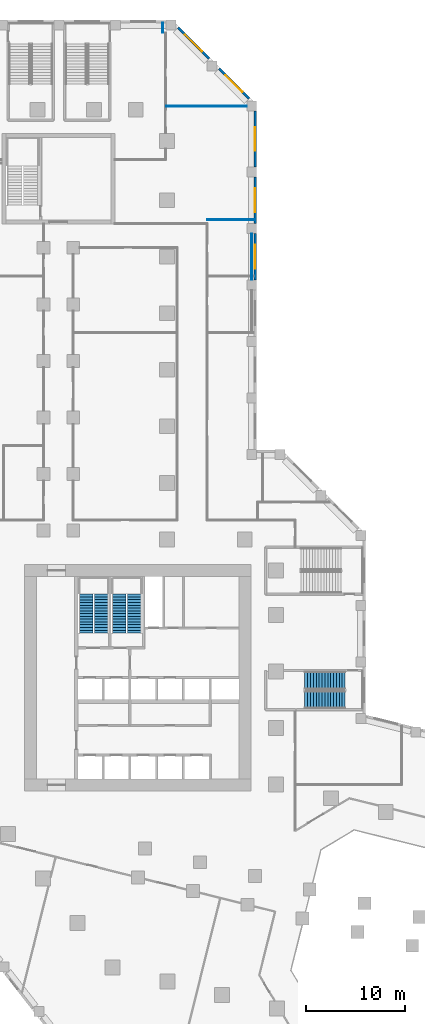
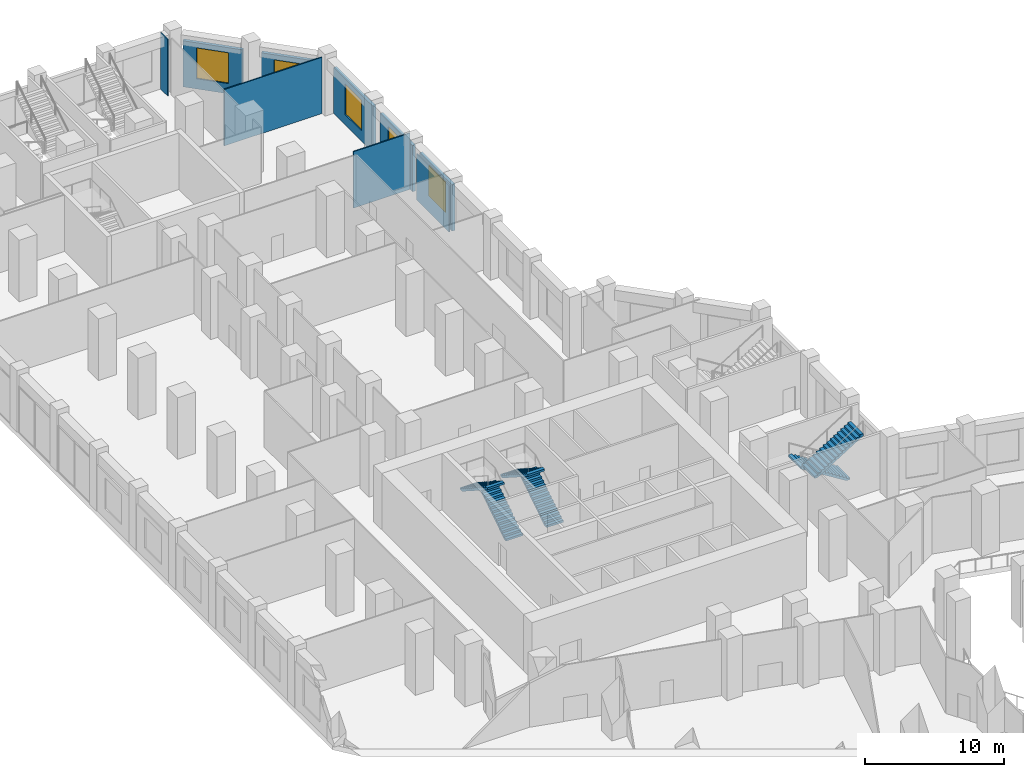
# One storey, part 17 of 23: 9 walls, 6 stair flights, 5 windows, 5 openings, 3 elements without a shape of their own.
"""IFC4 building model written with IfcOpenShell, lengths in metres."""

from ifc_helpers import new_model, si_unit, direction, frame, frame_2d, origin, place, context, subcontext, project, spatial, polyline, rectangle, outline, extrude, material, layer, layer_set, type_object, element, fill, aggregate, save


model = new_model("IFC4")

# Units and contexts
model_context = context("Model", 3, precision=1e-05, world=origin(), true_north=direction((0.0, 1.0)))
body_context = subcontext(model_context, "Body", "Model", "MODEL_VIEW")
ifc_project = project(units=[si_unit("LENGTHUNIT", "METRE"), si_unit("AREAUNIT", "SQUARE_METRE"), si_unit("VOLUMEUNIT", "CUBIC_METRE"), si_unit("PLANEANGLEUNIT", "RADIAN"), si_unit("MASSUNIT", "GRAM", prefix="KILO")], contexts=[model_context])

# Site, building, storey
site_placement = place(None, origin())
site = spatial("IfcSite", under=ifc_project, at=site_placement, CompositionType="ELEMENT")
building_placement = place(site_placement, origin())
building = spatial("IfcBuilding", under=site, at=building_placement, Name="Meshkara Civic Tower", CompositionType="ELEMENT")
storey_placement = place(building_placement, frame((0.0, 0.0, 7.199951171875)))
storey = spatial("IfcBuildingStorey", under=building, at=storey_placement, Name="L01", CompositionType="ELEMENT", Elevation=7.199951171875)

# Wall
ifc_material_1 = material(Name="Corridor wall 100")
ifc_layer_1 = layer(ifc_material_1, 0.10009765625)
ifc_layer_set_1 = layer_set([ifc_layer_1], Name="Corridor wall 100")
wall_type_1 = type_object("IfcWallType", Name="Corridor wall 100", PredefinedType="PARTITIONING", material=ifc_layer_set_1)
wall_1_placement = place(storey_placement, frame((21.89990234375, 90.52001953125, 0.0), z_axis=(0.0, 0.0, 1.0), x_axis=(0.0, 1.0, 0.0)))
element("IfcWall", 1, at=wall_1_placement, inside=storey, type_object=wall_type_1, Name="L01-R029", PredefinedType="PARTITIONING", context=body_context, shape_type="SweptSolid", body=[
    extrude(rectangle(XDim=1.0, YDim=0.10009765625, at=frame_2d((0.5, 0.0))), origin(), (0.0, 0.0, 1.0), 4.949951171875),
])

# Wall, opening, window
ifc_material_2 = material(Name="Stone cladding on insulated backing wall", Category="masonry")
ifc_layer_2 = layer(ifc_material_2, 0.25)
ifc_layer_set_2 = layer_set([ifc_layer_2], Name="PODIUM STONE WALL 250")
wall_type_2 = type_object("IfcWallType", Name="PODIUM STONE WALL 250", PredefinedType="SOLIDWALL", material=ifc_layer_set_2)
wall_2_placement = place(storey_placement, frame((30.6298828125, 83.885986328125, 0.0), z_axis=(0.0, 0.0, 1.0), x_axis=(-0.707078301545, 0.707135259681, 0.0)))
wall_2 = element("IfcWall", 2, at=wall_2_placement, inside=storey, type_object=wall_type_2, Name="Podium external wall", PredefinedType="SOLIDWALL", context=body_context, shape_type="SweptSolid", body=[
    extrude(rectangle(XDim=4.286376953125, YDim=0.25, at=frame_2d((2.14306640625, 0.0))), origin(), (0.0, 0.0, 1.0), 4.050048828125),
])
opening_1_placement = place(wall_2_placement, frame((0.943115234375, 0.0, 0.89990234375)))
opening_1 = element("IfcOpeningElement", 3, at=opening_1_placement, cuts=wall_2, Name="Opening PW4", PredefinedType="OPENING", context=body_context, shape_type="SweptSolid", body=[
    extrude(rectangle(XDim=2.39990234375, YDim=2.699951171875, at=frame_2d((1.199951171875, 1.35009765625))), frame((0.0, 0.135009765625, 0.0), z_axis=(0.0, -1.0, 0.0), x_axis=(1.0, 0.0, 0.0)), (0.0, 0.0, 1.0), 0.27001953125),
])
ifc_material_3 = material(Name="Tinted double glazing", Category="glass")
window_type = type_object("IfcWindowType", Name="PODIUM WINDOW 2400x2700", PartitioningType="DOUBLE_PANEL_VERTICAL", PredefinedType="WINDOW", material=ifc_material_3)
window_1_placement = place(opening_1_placement, origin())
window_1 = element("IfcWindow", 4, at=window_1_placement, inside=storey, type_object=window_type, Name="Podium window", OverallHeight=2.699951171875, OverallWidth=2.39990234375, PartitioningType="DOUBLE_PANEL_VERTICAL", PredefinedType="WINDOW", context=body_context, shape_type="SweptSolid", body=[
    extrude(rectangle(XDim=2.39990234375, YDim=2.699951171875, at=frame_2d((1.199951171875, 1.35009765625))), frame((0.0, 0.030029296875, 0.0), z_axis=(0.0, -1.0, 0.0), x_axis=(1.0, 0.0, 0.0)), (0.0, 0.0, 1.0), 0.06005859375),
])
fill(opening_1, window_1)

wall_3_placement = place(storey_placement, frame((26.59912109375, 87.9169921875, 0.0), z_axis=(0.0, 0.0, 1.0), x_axis=(-0.707106781187, 0.707106781187, 0.0)))
wall_3 = element("IfcWall", 5, at=wall_3_placement, inside=storey, type_object=wall_type_2, Name="Podium external wall", PredefinedType="SOLIDWALL", context=body_context, shape_type="SweptSolid", body=[
    extrude(rectangle(XDim=4.430908203125, YDim=0.25, at=frame_2d((2.21533203125, 0.0))), origin(), (0.0, 0.0, 1.0), 4.050048828125),
])
opening_2_placement = place(wall_3_placement, frame((1.014892578125, 0.0, 0.89990234375)))
opening_2 = element("IfcOpeningElement", 6, at=opening_2_placement, cuts=wall_3, Name="Opening PW4", PredefinedType="OPENING", context=body_context, shape_type="SweptSolid", body=[
    extrude(rectangle(XDim=2.39990234375, YDim=2.699951171875, at=frame_2d((1.199951171875, 1.35009765625))), frame((0.0, 0.135009765625, 0.0), z_axis=(0.0, -1.0, 0.0), x_axis=(1.0, 0.0, 0.0)), (0.0, 0.0, 1.0), 0.27001953125),
])
window_2_placement = place(opening_2_placement, origin())
window_2 = element("IfcWindow", 7, at=window_2_placement, inside=storey, type_object=window_type, Name="Podium window", OverallHeight=2.699951171875, OverallWidth=2.39990234375, PartitioningType="DOUBLE_PANEL_VERTICAL", PredefinedType="WINDOW", context=body_context, shape_type="SweptSolid", body=[
    extrude(rectangle(XDim=2.39990234375, YDim=2.699951171875, at=frame_2d((1.199951171875, 1.35009765625))), frame((0.0, 0.030029296875, 0.0), z_axis=(0.0, -1.0, 0.0), x_axis=(1.0, 0.0, 0.0)), (0.0, 0.0, 1.0), 0.06005859375),
])
fill(opening_2, window_2)

wall_4_placement = place(storey_placement, frame((31.22509765625, 65.60009765625, 0.0), z_axis=(0.0, 0.0, 1.0), x_axis=(0.0, 1.0, 0.0)))
wall_4 = element("IfcWall", 8, at=wall_4_placement, inside=storey, type_object=wall_type_2, Name="Podium external wall", PredefinedType="SOLIDWALL", context=body_context, shape_type="SweptSolid", body=[
    extrude(rectangle(XDim=4.699951171875, YDim=0.25, at=frame_2d((2.35009765625, 0.0))), origin(), (0.0, 0.0, 1.0), 4.050048828125),
])
opening_3_placement = place(wall_4_placement, frame((1.14990234375, 0.0, 0.89990234375)))
opening_3 = element("IfcOpeningElement", 9, at=opening_3_placement, cuts=wall_4, Name="Opening PW4", PredefinedType="OPENING", context=body_context, shape_type="SweptSolid", body=[
    extrude(rectangle(XDim=2.39990234375, YDim=2.699951171875, at=frame_2d((1.199951171875, 1.35009765625))), frame((0.0, 0.135009765625, 0.0), z_axis=(0.0, -1.0, 0.0), x_axis=(1.0, 0.0, 0.0)), (0.0, 0.0, 1.0), 0.27001953125),
])
window_3_placement = place(opening_3_placement, origin())
window_3 = element("IfcWindow", 10, at=window_3_placement, inside=storey, type_object=window_type, Name="Podium window", OverallHeight=2.699951171875, OverallWidth=2.39990234375, PartitioningType="DOUBLE_PANEL_VERTICAL", PredefinedType="WINDOW", context=body_context, shape_type="SweptSolid", body=[
    extrude(rectangle(XDim=2.39990234375, YDim=2.699951171875, at=frame_2d((1.199951171875, 1.35009765625))), frame((0.0, 0.030029296875, 0.0), z_axis=(0.0, -1.0, 0.0), x_axis=(1.0, 0.0, 0.0)), (0.0, 0.0, 1.0), 0.06005859375),
])
fill(opening_3, window_3)

wall_5_placement = place(storey_placement, frame((31.22509765625, 71.300048828125, 0.0), z_axis=(0.0, 0.0, 1.0), x_axis=(0.0, 1.0, 0.0)))
wall_5 = element("IfcWall", 11, at=wall_5_placement, inside=storey, type_object=wall_type_2, Name="Podium external wall", PredefinedType="SOLIDWALL", context=body_context, shape_type="SweptSolid", body=[
    extrude(rectangle(XDim=4.699951171875, YDim=0.25, at=frame_2d((2.35009765625, 0.0))), origin(), (0.0, 0.0, 1.0), 4.050048828125),
])
opening_4_placement = place(wall_5_placement, frame((1.14990234375, 0.0, 0.89990234375)))
opening_4 = element("IfcOpeningElement", 12, at=opening_4_placement, cuts=wall_5, Name="Opening PW4", PredefinedType="OPENING", context=body_context, shape_type="SweptSolid", body=[
    extrude(rectangle(XDim=2.39990234375, YDim=2.699951171875, at=frame_2d((1.199951171875, 1.35009765625))), frame((0.0, 0.135009765625, 0.0), z_axis=(0.0, -1.0, 0.0), x_axis=(1.0, 0.0, 0.0)), (0.0, 0.0, 1.0), 0.27001953125),
])
window_4_placement = place(opening_4_placement, origin())
window_4 = element("IfcWindow", 13, at=window_4_placement, inside=storey, type_object=window_type, Name="Podium window", OverallHeight=2.699951171875, OverallWidth=2.39990234375, PartitioningType="DOUBLE_PANEL_VERTICAL", PredefinedType="WINDOW", context=body_context, shape_type="SweptSolid", body=[
    extrude(rectangle(XDim=2.39990234375, YDim=2.699951171875, at=frame_2d((1.199951171875, 1.35009765625))), frame((0.0, 0.030029296875, 0.0), z_axis=(0.0, -1.0, 0.0), x_axis=(1.0, 0.0, 0.0)), (0.0, 0.0, 1.0), 0.06005859375),
])
fill(opening_4, window_4)

wall_6_placement = place(storey_placement, frame((31.22509765625, 77.0, 0.0), z_axis=(0.0, 0.0, 1.0), x_axis=(0.0, 1.0, 0.0)))
wall_6 = element("IfcWall", 14, at=wall_6_placement, inside=storey, type_object=wall_type_2, Name="Podium external wall", PredefinedType="SOLIDWALL", context=body_context, shape_type="SweptSolid", body=[
    extrude(rectangle(XDim=5.656005859375, YDim=0.25, at=frame_2d((2.828125, 0.0))), origin(), (0.0, 0.0, 1.0), 4.050048828125),
])
opening_5_placement = place(wall_6_placement, frame((1.6279296875, 0.0, 0.89990234375)))
opening_5 = element("IfcOpeningElement", 15, at=opening_5_placement, cuts=wall_6, Name="Opening PW4", PredefinedType="OPENING", context=body_context, shape_type="SweptSolid", body=[
    extrude(rectangle(XDim=2.39990234375, YDim=2.699951171875, at=frame_2d((1.199951171875, 1.35009765625))), frame((0.0, 0.135009765625, 0.0), z_axis=(0.0, -1.0, 0.0), x_axis=(1.0, 0.0, 0.0)), (0.0, 0.0, 1.0), 0.27001953125),
])
window_5_placement = place(opening_5_placement, origin())
window_5 = element("IfcWindow", 16, at=window_5_placement, inside=storey, type_object=window_type, Name="Podium window", OverallHeight=2.699951171875, OverallWidth=2.39990234375, PartitioningType="DOUBLE_PANEL_VERTICAL", PredefinedType="WINDOW", context=body_context, shape_type="SweptSolid", body=[
    extrude(rectangle(XDim=2.39990234375, YDim=2.699951171875, at=frame_2d((1.199951171875, 1.35009765625))), frame((0.0, 0.030029296875, 0.0), z_axis=(0.0, -1.0, 0.0), x_axis=(1.0, 0.0, 0.0)), (0.0, 0.0, 1.0), 0.06005859375),
])
fill(opening_5, window_5)

# Walls
ifc_material_4 = material(Name="Partition 100")
ifc_layer_3 = layer(ifc_material_4, 0.10009765625)
ifc_layer_set_3 = layer_set([ifc_layer_3], Name="Partition 100")
wall_type_3 = type_object("IfcWallType", Name="Partition 100", PredefinedType="PARTITIONING", material=ifc_layer_set_3)
wall_7_placement = place(storey_placement, frame((26.39990234375, 71.699951171875, 0.0), z_axis=(0.0, 0.0, 1.0), x_axis=(1.0, 0.0, 0.0)))
element("IfcWall", 17, at=wall_7_placement, inside=storey, type_object=wall_type_3, Name="L01-R098", PredefinedType="PARTITIONING", context=body_context, shape_type="SweptSolid", body=[
    extrude(rectangle(XDim=4.7001953125, YDim=0.10009765625, at=frame_2d((2.35009765625, 0.0))), origin(), (0.0, 0.0, 1.0), 4.949951171875),
])
wall_8_placement = place(storey_placement, frame((30.3798828125, 83.10009765625, 0.0), z_axis=(0.0, 0.0, 1.0), x_axis=(-1.0, 0.0, 0.0)))
element("IfcWall", 18, at=wall_8_placement, inside=storey, type_object=wall_type_3, Name="L01-R099", PredefinedType="PARTITIONING", context=body_context, shape_type="SweptSolid", body=[
    extrude(rectangle(XDim=8.1298828125, YDim=0.10009765625, at=frame_2d((4.06494140625, 0.0))), origin(), (0.0, 0.0, 1.0), 4.949951171875),
])
wall_9_placement = place(storey_placement, frame((30.89990234375, 70.280029296875, 0.0), z_axis=(0.0, 0.0, 1.0), x_axis=(0.0, -1.0, 0.0)))
element("IfcWall", 19, at=wall_9_placement, inside=storey, type_object=wall_type_3, Name="L01-R103", PredefinedType="PARTITIONING", context=body_context, shape_type="SweptSolid", body=[
    extrude(rectangle(XDim=4.659912109375, YDim=0.10009765625, at=frame_2d((2.330078125, 0.0))), origin(), (0.0, 0.0, 1.0), 4.050048828125),
])

# Stair, stair flights
ifc_material_5 = material(Name="Precast concrete C40/50", Category="concrete")
stair_type_1 = type_object("IfcStairType", Name="Exit stair half-turn 30 risers precast", PredefinedType="HALF_TURN_STAIR", material=ifc_material_5)
stair_1_placement = place(storey_placement, origin())
stair_1 = element("IfcStair", 20, at=stair_1_placement, inside=storey, type_object=stair_type_1, Name="L01 exit stair 1", PredefinedType="HALF_TURN_STAIR")
ifc_material_6 = material(Name="Precast concrete C40/50", Category="concrete")
stair_flight_type_1 = type_object("IfcStairFlightType", Name="Exit stair flight 15 risers precast", PredefinedType="STRAIGHT", material=ifc_material_6)
stair_flight_1_placement = place(storey_placement, frame((15.72509765625, 30.0, 0.0), z_axis=(0.0, 0.0, 1.0), x_axis=(0.0, 1.0, 0.0)))
stair_flight_1 = element("IfcStairFlight", 21, at=stair_flight_1_placement, type_object=stair_flight_type_1, Name="ST1 flight 1", NumberOfRisers=15, NumberOfTreads=14, PredefinedType="STRAIGHT", RiserHeight=0.18, TreadLength=0.28, context=body_context, shape_type="SweptSolid", body=[
    extrude(outline(polyline([(0.0, 0.0), (0.0, 0.179931640625), (0.280029296875, 0.179931640625), (0.280029296875, 0.360107421875), (0.56005859375, 0.360107421875), (0.56005859375, 0.5400390625), (0.840087890625, 0.5400390625), (0.840087890625, 0.719970703125), (1.1201171875, 0.719970703125), (1.1201171875, 0.89990234375), (1.39990234375, 0.89990234375), (1.39990234375, 1.080078125), (1.679931640625, 1.080078125), (1.679931640625, 1.260009765625), (1.9599609375, 1.260009765625), (1.9599609375, 1.43994140625), (2.239990234375, 1.43994140625), (2.239990234375, 1.6201171875), (2.52001953125, 1.6201171875), (2.52001953125, 1.800048828125), (2.800048828125, 1.800048828125), (2.800048828125, 1.97998046875), (3.080078125, 1.97998046875), (3.080078125, 2.159912109375), (3.360107421875, 2.159912109375), (3.360107421875, 2.340087890625), (3.639892578125, 2.340087890625), (3.639892578125, 2.52001953125), (3.919921875, 2.52001953125), (3.919921875, 2.699951171875), (3.919921875, 2.341796875), (0.277099609375, 0.0), (0.0, 0.0)])), frame((0.0, 0.699951171875, 0.0), z_axis=(0.0, -1.0, 0.0), x_axis=(1.0, 0.0, 0.0)), (0.0, 0.0, 1.0), 1.39990234375),
])
stair_flight_2_placement = place(storey_placement, frame((14.175048828125, 33.919921875, 2.699951171875), z_axis=(0.0, 0.0, 1.0), x_axis=(0.0, -1.0, 0.0)))
stair_flight_2 = element("IfcStairFlight", 22, at=stair_flight_2_placement, type_object=stair_flight_type_1, Name="ST1 flight 2", NumberOfRisers=15, NumberOfTreads=14, PredefinedType="STRAIGHT", RiserHeight=0.18, TreadLength=0.28, context=body_context, shape_type="SweptSolid", body=[
    extrude(outline(polyline([(0.0, 0.0), (0.0, 0.179931640625), (0.280029296875, 0.179931640625), (0.280029296875, 0.360107421875), (0.56005859375, 0.360107421875), (0.56005859375, 0.5400390625), (0.840087890625, 0.5400390625), (0.840087890625, 0.719970703125), (1.1201171875, 0.719970703125), (1.1201171875, 0.89990234375), (1.39990234375, 0.89990234375), (1.39990234375, 1.080078125), (1.679931640625, 1.080078125), (1.679931640625, 1.260009765625), (1.9599609375, 1.260009765625), (1.9599609375, 1.43994140625), (2.239990234375, 1.43994140625), (2.239990234375, 1.6201171875), (2.52001953125, 1.6201171875), (2.52001953125, 1.800048828125), (2.800048828125, 1.800048828125), (2.800048828125, 1.97998046875), (3.080078125, 1.97998046875), (3.080078125, 2.159912109375), (3.360107421875, 2.159912109375), (3.360107421875, 2.340087890625), (3.639892578125, 2.340087890625), (3.639892578125, 2.52001953125), (3.919921875, 2.52001953125), (3.919921875, 2.699951171875), (3.919921875, 2.341796875), (0.277099609375, 0.0), (0.0, 0.0)])), frame((0.0, 0.699951171875, 0.0), z_axis=(0.0, -1.0, 0.0), x_axis=(1.0, 0.0, 0.0)), (0.0, 0.0, 1.0), 1.39990234375),
])
aggregate(stair_1, [stair_flight_1, stair_flight_2])

stair_2_placement = place(storey_placement, origin())
stair_2 = element("IfcStair", 23, at=stair_2_placement, inside=storey, type_object=stair_type_1, Name="L01 exit stair 2", PredefinedType="HALF_TURN_STAIR")
stair_flight_3_placement = place(storey_placement, frame((19.074951171875, 30.0, 0.0), z_axis=(0.0, 0.0, 1.0), x_axis=(0.0, 1.0, 0.0)))
stair_flight_3 = element("IfcStairFlight", 24, at=stair_flight_3_placement, type_object=stair_flight_type_1, Name="ST2 flight 1", NumberOfRisers=15, NumberOfTreads=14, PredefinedType="STRAIGHT", RiserHeight=0.18, TreadLength=0.28, context=body_context, shape_type="SweptSolid", body=[
    extrude(outline(polyline([(0.0, 0.0), (0.0, 0.179931640625), (0.280029296875, 0.179931640625), (0.280029296875, 0.360107421875), (0.56005859375, 0.360107421875), (0.56005859375, 0.5400390625), (0.840087890625, 0.5400390625), (0.840087890625, 0.719970703125), (1.1201171875, 0.719970703125), (1.1201171875, 0.89990234375), (1.39990234375, 0.89990234375), (1.39990234375, 1.080078125), (1.679931640625, 1.080078125), (1.679931640625, 1.260009765625), (1.9599609375, 1.260009765625), (1.9599609375, 1.43994140625), (2.239990234375, 1.43994140625), (2.239990234375, 1.6201171875), (2.52001953125, 1.6201171875), (2.52001953125, 1.800048828125), (2.800048828125, 1.800048828125), (2.800048828125, 1.97998046875), (3.080078125, 1.97998046875), (3.080078125, 2.159912109375), (3.360107421875, 2.159912109375), (3.360107421875, 2.340087890625), (3.639892578125, 2.340087890625), (3.639892578125, 2.52001953125), (3.919921875, 2.52001953125), (3.919921875, 2.699951171875), (3.919921875, 2.341796875), (0.277099609375, 0.0), (0.0, 0.0)])), frame((0.0, 0.699951171875, 0.0), z_axis=(0.0, -1.0, 0.0), x_axis=(1.0, 0.0, 0.0)), (0.0, 0.0, 1.0), 1.39990234375),
])
stair_flight_4_placement = place(storey_placement, frame((17.52490234375, 33.919921875, 2.699951171875), z_axis=(0.0, 0.0, 1.0), x_axis=(0.0, -1.0, 0.0)))
stair_flight_4 = element("IfcStairFlight", 25, at=stair_flight_4_placement, type_object=stair_flight_type_1, Name="ST2 flight 2", NumberOfRisers=15, NumberOfTreads=14, PredefinedType="STRAIGHT", RiserHeight=0.18, TreadLength=0.28, context=body_context, shape_type="SweptSolid", body=[
    extrude(outline(polyline([(0.0, 0.0), (0.0, 0.179931640625), (0.280029296875, 0.179931640625), (0.280029296875, 0.360107421875), (0.56005859375, 0.360107421875), (0.56005859375, 0.5400390625), (0.840087890625, 0.5400390625), (0.840087890625, 0.719970703125), (1.1201171875, 0.719970703125), (1.1201171875, 0.89990234375), (1.39990234375, 0.89990234375), (1.39990234375, 1.080078125), (1.679931640625, 1.080078125), (1.679931640625, 1.260009765625), (1.9599609375, 1.260009765625), (1.9599609375, 1.43994140625), (2.239990234375, 1.43994140625), (2.239990234375, 1.6201171875), (2.52001953125, 1.6201171875), (2.52001953125, 1.800048828125), (2.800048828125, 1.800048828125), (2.800048828125, 1.97998046875), (3.080078125, 1.97998046875), (3.080078125, 2.159912109375), (3.360107421875, 2.159912109375), (3.360107421875, 2.340087890625), (3.639892578125, 2.340087890625), (3.639892578125, 2.52001953125), (3.919921875, 2.52001953125), (3.919921875, 2.699951171875), (3.919921875, 2.341796875), (0.277099609375, 0.0), (0.0, 0.0)])), frame((0.0, 0.699951171875, 0.0), z_axis=(0.0, -1.0, 0.0), x_axis=(1.0, 0.0, 0.0)), (0.0, 0.0, 1.0), 1.39990234375),
])
aggregate(stair_2, [stair_flight_3, stair_flight_4])

ifc_material_7 = material(Name="Precast concrete C40/50", Category="concrete")
stair_type_2 = type_object("IfcStairType", Name="Podium exit stair half-turn 30 risers 1800 wide precast", PredefinedType="HALF_TURN_STAIR", material=ifc_material_7)
stair_3_placement = place(storey_placement, origin())
stair_3 = element("IfcStair", 26, at=stair_3_placement, inside=storey, type_object=stair_type_2, Name="L01 podium exit stair PS5", PredefinedType="HALF_TURN_STAIR")
ifc_material_8 = material(Name="Precast concrete C40/50", Category="concrete")
stair_flight_type_2 = type_object("IfcStairFlightType", Name="Podium exit stair flight 15 risers 1800 wide precast", PredefinedType="STRAIGHT", material=ifc_material_8)
stair_flight_5_placement = place(storey_placement, frame((40.300048828125, 25.22509765625, 0.0), z_axis=(0.0, 0.0, 1.0), x_axis=(-1.0, 0.0, 0.0)))
stair_flight_5 = element("IfcStairFlight", 27, at=stair_flight_5_placement, type_object=stair_flight_type_2, Name="PS5 flight 1", NumberOfRisers=15, NumberOfTreads=14, PredefinedType="STRAIGHT", RiserHeight=0.18, TreadLength=0.29, context=body_context, shape_type="SweptSolid", body=[
    extrude(outline(polyline([(0.0, 0.0), (0.0, 0.179931640625), (0.2900390625, 0.179931640625), (0.2900390625, 0.360107421875), (0.580078125, 0.360107421875), (0.580078125, 0.5400390625), (0.8701171875, 0.5400390625), (0.8701171875, 0.719970703125), (1.159912109375, 0.719970703125), (1.159912109375, 0.89990234375), (1.449951171875, 0.89990234375), (1.449951171875, 1.080078125), (1.739990234375, 1.080078125), (1.739990234375, 1.260009765625), (2.030029296875, 1.260009765625), (2.030029296875, 1.43994140625), (2.320068359375, 1.43994140625), (2.320068359375, 1.6201171875), (2.610107421875, 1.6201171875), (2.610107421875, 1.800048828125), (2.89990234375, 1.800048828125), (2.89990234375, 1.97998046875), (3.18994140625, 1.97998046875), (3.18994140625, 2.159912109375), (3.47998046875, 2.159912109375), (3.47998046875, 2.340087890625), (3.77001953125, 2.340087890625), (3.77001953125, 2.52001953125), (4.06005859375, 2.52001953125), (4.06005859375, 2.699951171875), (4.06005859375, 2.343505859375), (0.2841796875, 0.0), (0.0, 0.0)])), frame((0.0, 0.89990234375, 0.0), z_axis=(0.0, -1.0, 0.0), x_axis=(1.0, 0.0, 0.0)), (0.0, 0.0, 1.0), 1.800048828125),
])
stair_flight_6_placement = place(storey_placement, frame((36.239990234375, 23.27490234375, 2.699951171875), z_axis=(0.0, 0.0, 1.0), x_axis=(1.0, 0.0, 0.0)))
stair_flight_6 = element("IfcStairFlight", 28, at=stair_flight_6_placement, type_object=stair_flight_type_2, Name="PS5 flight 2", NumberOfRisers=15, NumberOfTreads=14, PredefinedType="STRAIGHT", RiserHeight=0.18, TreadLength=0.29, context=body_context, shape_type="SweptSolid", body=[
    extrude(outline(polyline([(0.0, 0.0), (0.0, 0.179931640625), (0.2900390625, 0.179931640625), (0.2900390625, 0.360107421875), (0.580078125, 0.360107421875), (0.580078125, 0.5400390625), (0.8701171875, 0.5400390625), (0.8701171875, 0.719970703125), (1.159912109375, 0.719970703125), (1.159912109375, 0.89990234375), (1.449951171875, 0.89990234375), (1.449951171875, 1.080078125), (1.739990234375, 1.080078125), (1.739990234375, 1.260009765625), (2.030029296875, 1.260009765625), (2.030029296875, 1.43994140625), (2.320068359375, 1.43994140625), (2.320068359375, 1.6201171875), (2.610107421875, 1.6201171875), (2.610107421875, 1.800048828125), (2.89990234375, 1.800048828125), (2.89990234375, 1.97998046875), (3.18994140625, 1.97998046875), (3.18994140625, 2.159912109375), (3.47998046875, 2.159912109375), (3.47998046875, 2.340087890625), (3.77001953125, 2.340087890625), (3.77001953125, 2.52001953125), (4.06005859375, 2.52001953125), (4.06005859375, 2.699951171875), (4.06005859375, 2.343505859375), (0.2841796875, 0.0), (0.0, 0.0)])), frame((0.0, 0.89990234375, 0.0), z_axis=(0.0, -1.0, 0.0), x_axis=(1.0, 0.0, 0.0)), (0.0, 0.0, 1.0), 1.800048828125),
])
aggregate(stair_3, [stair_flight_5, stair_flight_6])

save(model, "model.ifc")
